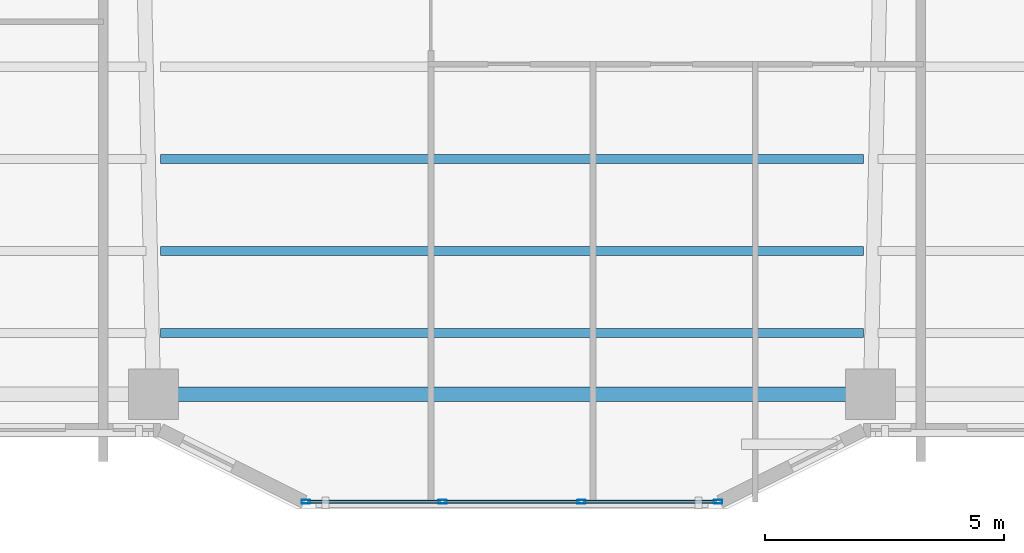
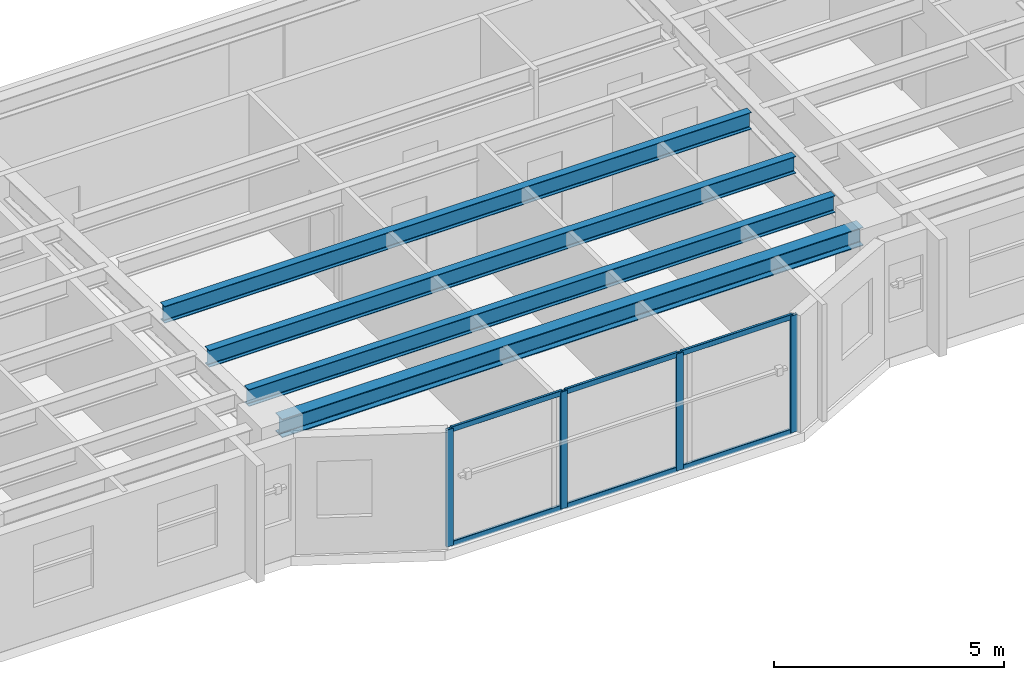
# One storey, part 2 of 19: 10 members, 4 beams, 1 element without a shape of its own.
"""IFC4 building model written with IfcOpenShell, lengths in metres."""

import ifcopenshell
import ifcopenshell.guid

model = None  # the IFC model being written
_history = None  # IfcOwnerHistory: only IFC2X3 demands one
_inside = {}  # id of a spatial element -> (the spatial element, [elements in it])
_under = {}  # id of a project, library or spatial element -> (it, [spatial elements below it])
_declared = {}  # id of a project -> (the project, [libraries it declares])
_typed = {}  # id of a type object -> (the type object, [elements of that type])
_made_of = {}  # id of a material, layer set ... -> (it, [elements and type objects made of it])


def new_model(schema):
    """Start an empty IFC model of exactly this schema.

    Asked for "IFC4X3", IfcOpenShell would pick the latest addendum, in which some entities
    have other attributes; the version numbers below select the first issue.
    IFC2X3 requires an IfcOwnerHistory on every rooted entity: one is made here for all.
    """
    global model, _history
    if schema == "IFC4X3":
        model = ifcopenshell.file(schema_version=(4, 3, 0, 0))
    else:
        model = ifcopenshell.file(schema=schema)
    _inside.clear()
    _under.clear()
    _declared.clear()
    _typed.clear()
    _made_of.clear()
    _history = None
    if model.schema == "IFC2X3":
        org = make("IfcOrganization", Name="unknown")
        user = make(
            "IfcPersonAndOrganization",
            ThePerson=make("IfcPerson", FamilyName="unknown"),
            TheOrganization=org,
        )
        app = make(
            "IfcApplication",
            ApplicationDeveloper=org,
            Version="unknown",
            ApplicationFullName="unknown",
            ApplicationIdentifier="unknown",
        )
        _history = make(
            "IfcOwnerHistory",
            OwningUser=user,
            OwningApplication=app,
            ChangeAction="ADDED",
            CreationDate=0,
        )
    return model


def make(cls, **values):
    """One entity of the class cls with the attributes given. An attribute that is None is left unset."""
    return model.create_entity(
        cls, **{name: value for name, value in values.items() if value is not None}
    )


def rooted(cls, **values):
    """An entity with a GlobalId (a new one), such as an element, a storey or a relation."""
    return make(cls, GlobalId=ifcopenshell.guid.new(), OwnerHistory=_history, **values)


def si_unit(unit_type, name, prefix=None):
    """IfcSIUnit, for example si_unit("LENGTHUNIT", "METRE", prefix="MILLI")."""
    return make("IfcSIUnit", UnitType=unit_type, Prefix=prefix, Name=name)


def assignment(units):
    """IfcUnitAssignment: the units of a project."""
    return None if units is None else make("IfcUnitAssignment", Units=units)


def point(xyz):
    """IfcCartesianPoint."""
    return None if xyz is None else make("IfcCartesianPoint", Coordinates=xyz)


def direction(xyz):
    """IfcDirection."""
    return None if xyz is None else make("IfcDirection", DirectionRatios=xyz)


def frame(location, z_axis=None, x_axis=None):
    """IfcAxis2Placement3D, a coordinate frame: its origin and axes. An axis left out is left unset."""
    return make(
        "IfcAxis2Placement3D",
        Location=point(location),
        Axis=direction(z_axis),
        RefDirection=direction(x_axis),
    )


def frame_2d(location, x_axis=None):
    """IfcAxis2Placement2D, a coordinate frame in the plane: its origin and x axis."""
    return make(
        "IfcAxis2Placement2D", Location=point(location), RefDirection=direction(x_axis)
    )


def origin():
    """The frame at (0, 0, 0) with its axes left unset."""
    return frame((0.0, 0.0, 0.0))


def origin_2d():
    """The frame at (0, 0) in the plane with its x axis left unset."""
    return frame_2d((0.0, 0.0))


def place(relative_to, where):
    """IfcLocalPlacement: puts the frame where relative to a parent placement (None: the world)."""
    return make(
        "IfcLocalPlacement", PlacementRelTo=relative_to, RelativePlacement=where
    )


def context(
    kind, dimensions, precision=None, world=None, true_north=None, identifier=None
):
    """IfcGeometricRepresentationContext, for example the 3D "Model" context."""
    return make(
        "IfcGeometricRepresentationContext",
        ContextIdentifier=identifier,
        ContextType=kind,
        CoordinateSpaceDimension=dimensions,
        Precision=precision,
        WorldCoordinateSystem=world,
        TrueNorth=true_north,
    )


def subcontext(parent, identifier, kind, view, scale=None):
    """IfcGeometricRepresentationSubContext, for example "Body" below "Model"."""
    return make(
        "IfcGeometricRepresentationSubContext",
        ContextIdentifier=identifier,
        ContextType=kind,
        ParentContext=parent,
        TargetScale=scale,
        TargetView=view,
    )


def project(units=None, contexts=None):
    """IfcProject with its units and contexts."""
    return rooted(
        "IfcProject",
        Name="project",
        RepresentationContexts=contexts,
        UnitsInContext=assignment(units),
    )


def spatial(cls, under=None, at=None, **own):
    """A site, building, storey or space (cls), placed at a placement, below another one or the project."""
    s = rooted(cls, ObjectPlacement=at, **own)
    if under is not None:
        _under.setdefault(under.id(), (under, []))[1].append(s)
    return s


def profile(cls, at=None, kind="AREA", **sizes):
    """A parametric profile (cls). Its sizes go by their IFC names, for example OverallWidth=200.0."""
    return make(cls, ProfileType=kind, Position=at, **sizes)


def hollow_rectangle(**sizes):
    """IfcRectangleHollowProfileDef."""
    return profile("IfcRectangleHollowProfileDef", **sizes)


def i_section(**sizes):
    """IfcIShapeProfileDef."""
    return profile("IfcIShapeProfileDef", **sizes)


def extrude(swept, where, along, depth):
    """IfcExtrudedAreaSolid: the profile swept, set in the frame where, extruded along a direction by depth."""
    return make(
        "IfcExtrudedAreaSolid",
        SweptArea=swept,
        Position=where,
        ExtrudedDirection=direction(along),
        Depth=depth,
    )


def shape(context_of_items, identifier, shape_type, items):
    """IfcShapeRepresentation: the items that make up one representation, for example the "Body"."""
    return make(
        "IfcShapeRepresentation",
        ContextOfItems=context_of_items,
        RepresentationIdentifier=identifier,
        RepresentationType=shape_type,
        Items=items,
    )


def material(Name=None, Category=None):
    """IfcMaterial."""
    return make("IfcMaterial", Name=Name, Category=Category)


def layer(
    of_material, thickness, ventilated=None, Name=None, Category=None, Priority=None
):
    """IfcMaterialLayer: one layer of a wall or slab, of a material (None: an air gap)."""
    return make(
        "IfcMaterialLayer",
        Material=of_material,
        LayerThickness=thickness,
        IsVentilated=ventilated,
        Name=Name,
        Category=Category,
        Priority=Priority,
    )


def layer_set(layers, Name=None):
    """IfcMaterialLayerSet."""
    return make("IfcMaterialLayerSet", MaterialLayers=layers, LayerSetName=Name)


def material_profile(
    of_material, cross_section, Name=None, Category=None, Priority=None
):
    """IfcMaterialProfile: a cross section and its material."""
    return make(
        "IfcMaterialProfile",
        Name=Name,
        Material=of_material,
        Profile=cross_section,
        Priority=Priority,
        Category=Category,
    )


def profile_set(profiles, Name=None, composite=None):
    """IfcMaterialProfileSet."""
    return make(
        "IfcMaterialProfileSet",
        Name=Name,
        MaterialProfiles=profiles,
        CompositeProfile=composite,
    )


def made_of(thing, what):
    """Note that an element or type object is made of a material, layer set ...; save() writes the relation."""
    if what is not None:
        _made_of.setdefault(what.id(), (what, []))[1].append(thing)
    return thing


def type_object(cls, material=None, **own):
    """A type object (cls), such as IfcWallType, which elements share."""
    return made_of(rooted(cls, **own), material)


def element(
    cls,
    number,
    at=None,
    inside=None,
    cuts=None,
    type_object=None,
    material=None,
    context=None,
    identifier="Body",
    shape_type=None,
    held_by="IfcProductDefinitionShape",
    body=None,
    shapes=None,
    **own,
):
    """One element of the class cls, such as IfcWall. Its Tag is "e" and its number.

    at: its placement. inside: the storey or other place that contains it. cuts: it is an
    opening in that element (IfcRelVoidsElement). A single representation is given by context,
    identifier, shape_type and body (its items); several are given by shapes. held_by: the class
    of the entity that holds the representations. save() writes the other relations.
    """
    e = rooted(cls, Tag="e%d" % number, ObjectPlacement=at, **own)
    if body is not None:
        shapes = [shape(context, identifier, shape_type, body)]
    if shapes is not None:
        e.Representation = make(held_by, Representations=shapes)
    if inside is not None:
        _inside.setdefault(inside.id(), (inside, []))[1].append(e)
    if cuts is not None:
        rooted(
            "IfcRelVoidsElement", RelatingBuildingElement=cuts, RelatedOpeningElement=e
        )
    if type_object is not None:
        _typed.setdefault(type_object.id(), (type_object, []))[1].append(e)
    return made_of(e, material)


def aggregate(whole, parts):
    """IfcRelAggregates: a whole, such as a stair, and the parts it consists of."""
    return rooted("IfcRelAggregates", RelatingObject=whole, RelatedObjects=parts)


def save(model, path):
    """Write the relations noted so far, then the file.

    IfcRelAggregates (storeys below a building ...), IfcRelContainedInSpatialStructure (elements
    in a storey), IfcRelDefinesByType, IfcRelAssociatesMaterial and IfcRelDeclares: one each for
    every whole, place, type object, material and project.
    """
    for whole, parts in _under.values():
        aggregate(whole, parts)
    for where, things in _inside.values():
        rooted(
            "IfcRelContainedInSpatialStructure",
            RelatedElements=things,
            RelatingStructure=where,
        )
    for kind, things in _typed.values():
        rooted("IfcRelDefinesByType", RelatedObjects=things, RelatingType=kind)
    for what, things in _made_of.values():
        rooted("IfcRelAssociatesMaterial", RelatedObjects=things, RelatingMaterial=what)
    for by, libraries in _declared.values():
        rooted("IfcRelDeclares", RelatingContext=by, RelatedDefinitions=libraries)
    model.write(path)


model = new_model("IFC4")

# Units and contexts
model_context = context("Model", 3, precision=1e-05, world=origin(), true_north=direction((0.0, 1.0)))
body_context = subcontext(model_context, "Body", "Model", "MODEL_VIEW")
ifc_project = project(units=[si_unit("LENGTHUNIT", "METRE"), si_unit("AREAUNIT", "SQUARE_METRE"), si_unit("VOLUMEUNIT", "CUBIC_METRE"), si_unit("PLANEANGLEUNIT", "RADIAN"), si_unit("MASSUNIT", "GRAM", prefix="KILO")], contexts=[model_context])

# Site, building, storey
site_placement = place(None, origin())
site = spatial("IfcSite", under=ifc_project, at=site_placement, CompositionType="ELEMENT")
building_placement = place(site_placement, origin())
building = spatial("IfcBuilding", under=site, at=building_placement, Name="Tarnavaz Court Tower", CompositionType="ELEMENT")
storey_placement = place(building_placement, frame((0.0, 0.0, 78.300048828125)))
storey = spatial("IfcBuildingStorey", under=building, at=storey_placement, Name="L20", CompositionType="ELEMENT", Elevation=78.300048828125)

# Beams
ifc_material_1 = material(Name="Steel S355", Category="steel")
ifc_material_profile_1 = material_profile(ifc_material_1, i_section(OverallWidth=0.18994140625, OverallDepth=0.449951171875, WebThickness=0.009521484375, FlangeThickness=0.0146484375, FilletRadius=0.02099609375, at=origin_2d()), Name="IPE 450")
ifc_profile_set_1 = profile_set([ifc_material_profile_1], Name="Steel S355")
beam_type_1 = type_object("IfcBeamType", Name="BM-J-IPE450", PredefinedType="JOIST", material=ifc_profile_set_1)
for number, where, z_axis, x_axis, name in (
    (1, (-7.35009765625, -16.3779296875, 2.875), (1.0, 0.0, 0.0), (0.0, 1.0, 0.0), "L20 Beam JS3-2"),
    (2, (-7.35009765625, -18.303955078125, 2.875), (1.0, 0.0, 0.0), (0.0, 1.0, 0.0), "L20 Beam JS4-2"),
    (3, (-7.35009765625, -20.01611328125, 2.875), (1.0, 0.0, 0.0), (0.0, 1.0, 0.0), "L20 Beam JS5-2"),
):
    element("IfcBeam", number, at=place(storey_placement, frame(where, z_axis=z_axis, x_axis=x_axis)), inside=storey, type_object=beam_type_1, Name=name, PredefinedType="JOIST", context=body_context, shape_type="SweptSolid", body=[
        extrude(i_section(OverallWidth=0.18994140625, OverallDepth=0.449951171875, WebThickness=0.009521484375, FlangeThickness=0.0146484375, FilletRadius=0.02099609375, at=origin_2d()), origin(), (0.0, 0.0, 1.0), 14.7001953125),
    ])
ifc_material_profile_2 = material_profile(ifc_material_1, i_section(OverallWidth=0.300048828125, OverallDepth=0.489990234375, WebThickness=0.011962890625, FlangeThickness=0.02294921875, FilletRadius=0.027099609375, at=origin_2d()), Name="HEA 500")
ifc_profile_set_2 = profile_set([ifc_material_profile_2], Name="Steel S355")
beam_type_2 = type_object("IfcBeamType", Name="BM-SP-HEA500", PredefinedType="SPANDREL", material=ifc_profile_set_2)
beam_placement = place(storey_placement, frame((-7.280029296875, -21.300048828125, 2.85498046875), z_axis=(1.0, 0.0, 0.0), x_axis=(0.0, 1.0, 0.0)))
element("IfcBeam", 4, at=beam_placement, inside=storey, type_object=beam_type_2, Name="L20 Beam PR-PS-2-PS-3", PredefinedType="SPANDREL", context=body_context, shape_type="SweptSolid", body=[
    extrude(i_section(OverallWidth=0.300048828125, OverallDepth=0.489990234375, WebThickness=0.011962890625, FlangeThickness=0.02294921875, FilletRadius=0.027099609375, at=origin_2d()), origin(), (0.0, 0.0, 1.0), 14.56005859375),
])

# Curtain wall, members
ifc_material_2 = material(Name="Anodised Aluminium 6063-T6 and Solar Low-E Glazing", Category="aluminium")
ifc_layer = layer(ifc_material_2, 0.179931640625)
ifc_layer_set = layer_set([ifc_layer], Name="Anodised Aluminium 6063-T6 and Solar Low-E Glazing")
curtain_wall_type = type_object("IfcCurtainWallType", Name="CW-SYS-02", PredefinedType="NOTDEFINED", material=ifc_layer_set)
curtain_wall_placement = place(storey_placement, origin())
curtain_wall = element("IfcCurtainWall", 5, at=curtain_wall_placement, inside=storey, type_object=curtain_wall_type, Name="L20 Iwan Prow Curtain Wall 17", PredefinedType="NOTDEFINED")
ifc_material_3 = material(Name="Anodised Aluminium 6063-T6", Category="aluminium")
ifc_material_profile_3 = material_profile(ifc_material_3, hollow_rectangle(XDim=0.074951171875, YDim=0.179931640625, WallThickness=0.0048828125, InnerFilletRadius=0.0048828125, OuterFilletRadius=0.010009765625, at=origin_2d()), Name="ALU RHS 180X75X5")
ifc_profile_set_3 = profile_set([ifc_material_profile_3], Name="Anodised Aluminium 6063-T6")
member_type_1 = type_object("IfcMemberType", Name="CW-MUL-180", PredefinedType="MULLION", material=ifc_profile_set_3)
member_1_placement = place(storey_placement, frame((4.3125, -23.550048828125, 0.0), z_axis=(0.0, 0.0, 1.0), x_axis=(0.0, -1.0, 0.0)))
member_1 = element("IfcMember", 6, at=member_1_placement, type_object=member_type_1, Name="CW mullion 1", PredefinedType="MULLION", context=body_context, shape_type="SweptSolid", body=[
    extrude(hollow_rectangle(XDim=0.074951171875, YDim=0.179931640625, WallThickness=0.0048828125, InnerFilletRadius=0.0048828125, OuterFilletRadius=0.010009765625, at=origin_2d()), origin(), (0.0, 0.0, 1.0), 3.099853515625),
])
member_2_placement = place(storey_placement, frame((1.449951171875, -23.550048828125, 0.0), z_axis=(0.0, 0.0, 1.0), x_axis=(0.0, -1.0, 0.0)))
member_2 = element("IfcMember", 7, at=member_2_placement, type_object=member_type_1, Name="CW mullion 2", PredefinedType="MULLION", context=body_context, shape_type="SweptSolid", body=[
    extrude(hollow_rectangle(XDim=0.074951171875, YDim=0.179931640625, WallThickness=0.0048828125, InnerFilletRadius=0.0048828125, OuterFilletRadius=0.010009765625, at=origin_2d()), origin(), (0.0, 0.0, 1.0), 3.099853515625),
])
member_3_placement = place(storey_placement, frame((-1.449951171875, -23.550048828125, 0.0), z_axis=(0.0, 0.0, 1.0), x_axis=(0.0, -1.0, 0.0)))
member_3 = element("IfcMember", 8, at=member_3_placement, type_object=member_type_1, Name="CW mullion 3", PredefinedType="MULLION", context=body_context, shape_type="SweptSolid", body=[
    extrude(hollow_rectangle(XDim=0.074951171875, YDim=0.179931640625, WallThickness=0.0048828125, InnerFilletRadius=0.0048828125, OuterFilletRadius=0.010009765625, at=origin_2d()), origin(), (0.0, 0.0, 1.0), 3.099853515625),
])
member_4_placement = place(storey_placement, frame((-4.3125, -23.550048828125, 0.0), z_axis=(0.0, 0.0, 1.0), x_axis=(0.0, -1.0, 0.0)))
member_4 = element("IfcMember", 9, at=member_4_placement, type_object=member_type_1, Name="CW mullion 4", PredefinedType="MULLION", context=body_context, shape_type="SweptSolid", body=[
    extrude(hollow_rectangle(XDim=0.074951171875, YDim=0.179931640625, WallThickness=0.0048828125, InnerFilletRadius=0.0048828125, OuterFilletRadius=0.010009765625, at=origin_2d()), origin(), (0.0, 0.0, 1.0), 3.099853515625),
])
ifc_material_profile_4 = material_profile(ifc_material_3, hollow_rectangle(XDim=0.06494140625, YDim=0.139892578125, WallThickness=0.00390625, InnerFilletRadius=0.00390625, OuterFilletRadius=0.008056640625, at=origin_2d()), Name="ALU RHS 140X65X4")
ifc_profile_set_4 = profile_set([ifc_material_profile_4], Name="Anodised Aluminium 6063-T6")
member_type_2 = type_object("IfcMemberType", Name="CW-TRN-140", PredefinedType="USERDEFINED", material=ifc_profile_set_4)
member_5_placement = place(storey_placement, frame((4.27490234375, -23.550048828125, 0.032470703125), z_axis=(-1.0, 0.0, 0.0), x_axis=(0.0, -1.0, 0.0)))
member_5 = element("IfcMember", 10, at=member_5_placement, type_object=member_type_2, Name="CW transom 1.1", ObjectType="TRANSOM", PredefinedType="USERDEFINED", context=body_context, shape_type="SweptSolid", body=[
    extrude(hollow_rectangle(XDim=0.06494140625, YDim=0.139892578125, WallThickness=0.00390625, InnerFilletRadius=0.00390625, OuterFilletRadius=0.008056640625, at=origin_2d()), origin(), (0.0, 0.0, 1.0), 2.787353515625),
])
member_6_placement = place(storey_placement, frame((4.27490234375, -23.550048828125, 3.0673828125), z_axis=(-1.0, 0.0, 0.0), x_axis=(0.0, -1.0, 0.0)))
member_6 = element("IfcMember", 11, at=member_6_placement, type_object=member_type_2, Name="CW transom 1.2", ObjectType="TRANSOM", PredefinedType="USERDEFINED", context=body_context, shape_type="SweptSolid", body=[
    extrude(hollow_rectangle(XDim=0.06494140625, YDim=0.139892578125, WallThickness=0.00390625, InnerFilletRadius=0.00390625, OuterFilletRadius=0.008056640625, at=origin_2d()), origin(), (0.0, 0.0, 1.0), 2.787353515625),
])
member_7_placement = place(storey_placement, frame((1.41259765625, -23.550048828125, 0.032470703125), z_axis=(-1.0, 0.0, 0.0), x_axis=(0.0, -1.0, 0.0)))
member_7 = element("IfcMember", 12, at=member_7_placement, type_object=member_type_2, Name="CW transom 2.1", ObjectType="TRANSOM", PredefinedType="USERDEFINED", context=body_context, shape_type="SweptSolid", body=[
    extrude(hollow_rectangle(XDim=0.06494140625, YDim=0.139892578125, WallThickness=0.00390625, InnerFilletRadius=0.00390625, OuterFilletRadius=0.008056640625, at=origin_2d()), origin(), (0.0, 0.0, 1.0), 2.8251953125),
])
member_8_placement = place(storey_placement, frame((1.41259765625, -23.550048828125, 3.0673828125), z_axis=(-1.0, 0.0, 0.0), x_axis=(0.0, -1.0, 0.0)))
member_8 = element("IfcMember", 13, at=member_8_placement, type_object=member_type_2, Name="CW transom 2.2", ObjectType="TRANSOM", PredefinedType="USERDEFINED", context=body_context, shape_type="SweptSolid", body=[
    extrude(hollow_rectangle(XDim=0.06494140625, YDim=0.139892578125, WallThickness=0.00390625, InnerFilletRadius=0.00390625, OuterFilletRadius=0.008056640625, at=origin_2d()), origin(), (0.0, 0.0, 1.0), 2.8251953125),
])
member_9_placement = place(storey_placement, frame((-1.487548828125, -23.550048828125, 0.032470703125), z_axis=(-1.0, 0.0, 0.0), x_axis=(0.0, -1.0, 0.0)))
member_9 = element("IfcMember", 14, at=member_9_placement, type_object=member_type_2, Name="CW transom 3.1", ObjectType="TRANSOM", PredefinedType="USERDEFINED", context=body_context, shape_type="SweptSolid", body=[
    extrude(hollow_rectangle(XDim=0.06494140625, YDim=0.139892578125, WallThickness=0.00390625, InnerFilletRadius=0.00390625, OuterFilletRadius=0.008056640625, at=origin_2d()), origin(), (0.0, 0.0, 1.0), 2.787353515625),
])
member_10_placement = place(storey_placement, frame((-1.487548828125, -23.550048828125, 3.0673828125), z_axis=(-1.0, 0.0, 0.0), x_axis=(0.0, -1.0, 0.0)))
member_10 = element("IfcMember", 15, at=member_10_placement, type_object=member_type_2, Name="CW transom 3.2", ObjectType="TRANSOM", PredefinedType="USERDEFINED", context=body_context, shape_type="SweptSolid", body=[
    extrude(hollow_rectangle(XDim=0.06494140625, YDim=0.139892578125, WallThickness=0.00390625, InnerFilletRadius=0.00390625, OuterFilletRadius=0.008056640625, at=origin_2d()), origin(), (0.0, 0.0, 1.0), 2.787353515625),
])
aggregate(curtain_wall, [member_1, member_2, member_3, member_4, member_5, member_6, member_7, member_8, member_9, member_10])

save(model, "model.ifc")
